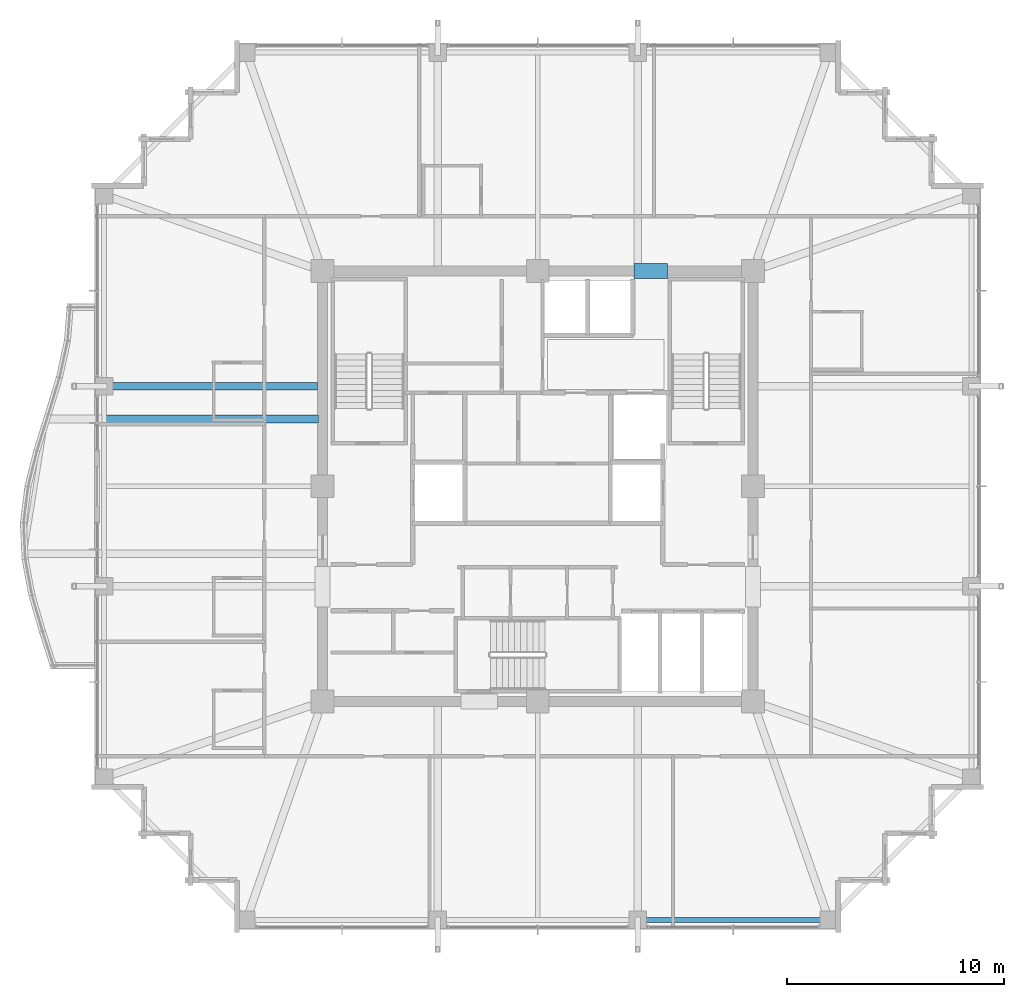
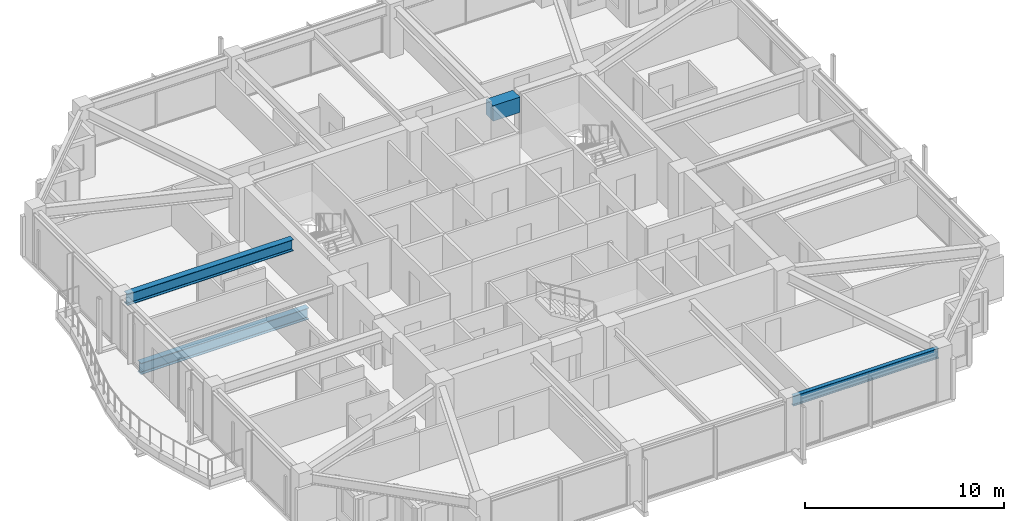
# One storey, part 9 of 33: 4 beams.
"""IFC4 building model written with IfcOpenShell, lengths in metres."""

from ifc_helpers import new_model, si_unit, direction, frame, origin, origin_2d, place, context, subcontext, project, spatial, rectangle, i_section, extrude, material, material_profile, profile_set, type_object, element, save


model = new_model("IFC4")

# Units and contexts
model_context = context("Model", 3, precision=1e-05, world=origin(), true_north=direction((0.0, 1.0)))
body_context = subcontext(model_context, "Body", "Model", "MODEL_VIEW")
ifc_project = project(units=[si_unit("LENGTHUNIT", "METRE"), si_unit("AREAUNIT", "SQUARE_METRE"), si_unit("VOLUMEUNIT", "CUBIC_METRE"), si_unit("PLANEANGLEUNIT", "RADIAN"), si_unit("MASSUNIT", "GRAM", prefix="KILO")], contexts=[model_context])

# Site, building, storey
site_placement = place(None, origin())
site = spatial("IfcSite", under=ifc_project, at=site_placement, CompositionType="ELEMENT")
building_placement = place(site_placement, origin())
building = spatial("IfcBuilding", under=site, at=building_placement, Name="Kolvaren Belvedere", CompositionType="ELEMENT")
storey_placement = place(building_placement, frame((0.0, 0.0, 209.699951171875)))
storey = spatial("IfcBuildingStorey", under=building, at=storey_placement, Name="L61", CompositionType="ELEMENT", Elevation=209.699951171875)

# Beams
ifc_material_1 = material(Name="Structural steel ASTM A992 Grade 50", Category="steel")
ifc_material_profile_1 = material_profile(ifc_material_1, i_section(OverallWidth=0.35498046875, OverallDepth=0.696044921875, WebThickness=0.015380859375, FlangeThickness=0.02490234375, FilletRadius=0.02197265625, at=origin_2d()), Name="W27X146")
ifc_profile_set_1 = profile_set([ifc_material_profile_1], Name="Structural steel ASTM A992 Grade 50")
beam_type_1 = type_object("IfcBeamType", Name="BM-GIRD-W27X146", PredefinedType="BEAM", material=ifc_profile_set_1)
beam_1_placement = place(storey_placement, frame((-10.090087890625, 3.10009765625, -0.56787109375), z_axis=(-1.0, 0.0, 0.0), x_axis=(0.0, -1.0, 0.0)))
element("IfcBeam", 1, at=beam_1_placement, inside=storey, type_object=beam_type_1, Name="L61 Balcony Interior Back-Span Girder BAL-W-2", PredefinedType="BEAM", context=body_context, shape_type="SweptSolid", body=[
    extrude(i_section(OverallWidth=0.35498046875, OverallDepth=0.696044921875, WebThickness=0.015380859375, FlangeThickness=0.02490234375, FilletRadius=0.02197265625, at=origin_2d()), origin(), (0.0, 0.0, 1.0), 9.764892578125),
])
beam_2_placement = place(storey_placement, frame((-10.125, 4.60009765625, 2.73193359375), z_axis=(-1.0, 0.0, 0.0), x_axis=(0.0, -1.0, 0.0)))
element("IfcBeam", 2, at=beam_2_placement, inside=storey, type_object=beam_type_1, Name="L61 West Radial Girder P", PredefinedType="BEAM", context=body_context, shape_type="SweptSolid", body=[
    extrude(i_section(OverallWidth=0.35498046875, OverallDepth=0.696044921875, WebThickness=0.015380859375, FlangeThickness=0.02490234375, FilletRadius=0.02197265625, at=origin_2d()), origin(), (0.0, 0.0, 1.0), 9.64501953125),
])
ifc_material_2 = material(Name="Concrete C60/75", Category="concrete")
ifc_material_profile_2 = material_profile(ifc_material_2, rectangle(XDim=0.699951171875, YDim=0.949951171875, at=origin_2d()), Name="RC 700X950")
ifc_profile_set_2 = profile_set([ifc_material_profile_2], Name="Concrete C60/75")
beam_type_2 = type_object("IfcBeamType", Name="BM-LINT-950", PredefinedType="LINTEL", material=ifc_profile_set_2)
beam_3_placement = place(storey_placement, frame((4.419921875, 9.89990234375, 2.60498046875), z_axis=(1.0, 0.0, 0.0), x_axis=(0.0, 1.0, 0.0)))
element("IfcBeam", 3, at=beam_3_placement, inside=storey, type_object=beam_type_2, Name="L61 North Core Coupling Lintel", PredefinedType="LINTEL", context=body_context, shape_type="SweptSolid", body=[
    extrude(rectangle(XDim=0.699951171875, YDim=0.949951171875, at=origin_2d()), origin(), (0.0, 0.0, 1.0), 1.56005859375),
])
ifc_material_3 = material(Name="Structural steel ASTM A992 Grade 50", Category="steel")
ifc_material_profile_3 = material_profile(ifc_material_3, i_section(OverallWidth=0.22900390625, OverallDepth=0.612060546875, WebThickness=0.011962890625, FlangeThickness=0.01953125, FilletRadius=0.01806640625, at=origin_2d()), Name="W24X84")
ifc_profile_set_3 = profile_set([ifc_material_profile_3], Name="Structural steel ASTM A992 Grade 50")
beam_type_3 = type_object("IfcBeamType", Name="BM-SPAN-W24X84", PredefinedType="SPANDREL", material=ifc_profile_set_3)
beam_4_placement = place(storey_placement, frame((4.780029296875, -19.949951171875, 2.774169921875), z_axis=(1.0, 0.0, 0.0), x_axis=(0.0, 1.0, 0.0)))
element("IfcBeam", 4, at=beam_4_placement, inside=storey, type_object=beam_type_3, Name="L61 Perimeter Spandrel S3-S4", PredefinedType="SPANDREL", context=body_context, shape_type="SweptSolid", body=[
    extrude(i_section(OverallWidth=0.22900390625, OverallDepth=0.612060546875, WebThickness=0.011962890625, FlangeThickness=0.01953125, FilletRadius=0.01806640625, at=origin_2d()), origin(), (0.0, 0.0, 1.0), 8.43994140625),
])

save(model, "model.ifc")
